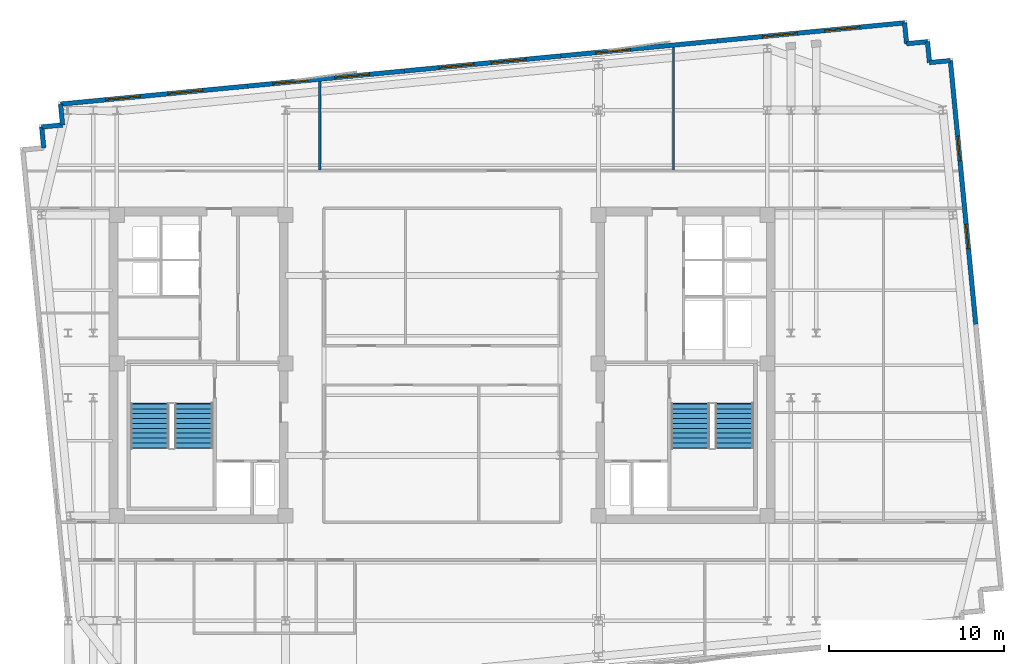
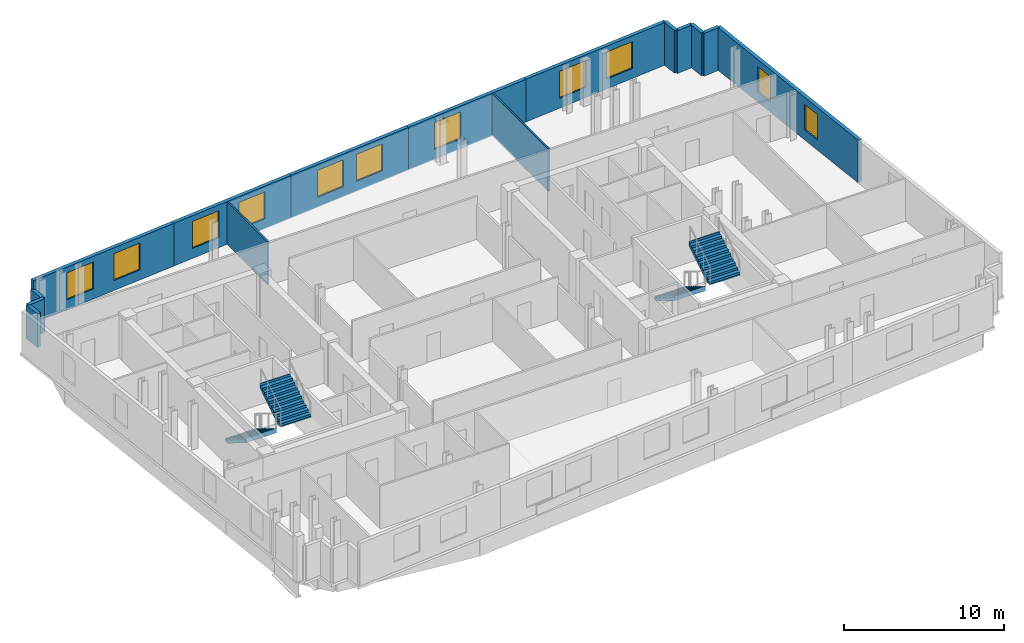
# One storey, part 6 of 8: 15 walls, 11 windows, 4 stair flights, 11 openings, 2 elements without a shape of their own.
"""IFC4 building model written with IfcOpenShell, lengths in metres."""

from ifc_helpers import new_model, si_unit, direction, frame, frame_2d, origin, place, context, subcontext, project, spatial, polyline, rectangle, outline, extrude, material, layer, layer_set, type_object, element, fill, aggregate, save


model = new_model("IFC4")

# Units and contexts
model_context = context("Model", 3, precision=1e-05, world=origin(), true_north=direction((0.0, 1.0)))
body_context = subcontext(model_context, "Body", "Model", "MODEL_VIEW")
ifc_project = project(units=[si_unit("LENGTHUNIT", "METRE"), si_unit("AREAUNIT", "SQUARE_METRE"), si_unit("VOLUMEUNIT", "CUBIC_METRE"), si_unit("PLANEANGLEUNIT", "RADIAN"), si_unit("MASSUNIT", "GRAM", prefix="KILO")], contexts=[model_context])

# Site, building, storey
site_placement = place(None, origin())
site = spatial("IfcSite", under=ifc_project, at=site_placement, CompositionType="ELEMENT")
building_placement = place(site_placement, origin())
building = spatial("IfcBuilding", under=site, at=building_placement, Name="Velakula Bourse", CompositionType="ELEMENT")
storey_placement = place(building_placement, frame((0.0, 0.0, 251.699951171875)))
storey = spatial("IfcBuildingStorey", under=building, at=storey_placement, Name="L68", CompositionType="ELEMENT", Elevation=251.699951171875)

# Wall, openings, windows
ifc_material_1 = material(Name="Buff kilned clay facing brick masonry", Category="masonry")
ifc_layer_1 = layer(ifc_material_1, 0.260009765625, Name="Buff kilned clay facing brick masonry", Category="masonry")
ifc_layer_set_1 = layer_set([ifc_layer_1], Name="Buff kilned clay facing brick masonry")
wall_type_1 = type_object("IfcWallType", Name="WL-EXT-BRK-260", PredefinedType="STANDARD", material=ifc_layer_set_1)
wall_1_placement = place(storey_placement, frame((-21.820556640625, 14.94482421875, 0.0), z_axis=(0.0, 0.0, 1.0), x_axis=(0.995394787719, 0.095860401528, 0.0)))
wall_1 = element("IfcWall", 1, at=wall_1_placement, inside=storey, type_object=wall_type_1, Name="L68 N Brick Spandrel Wall B1", PredefinedType="STANDARD", context=body_context, shape_type="SweptSolid", body=[
    extrude(rectangle(XDim=10.750244140625, YDim=0.260009765625, at=frame_2d((5.375, 0.0))), origin(), (0.0, 0.0, 1.0), 3.25),
])
opening_1_placement = place(wall_1_placement, frame((2.583251953125, 0.0, 0.760009765625)))
opening_1 = element("IfcOpeningElement", 2, at=opening_1_placement, cuts=wall_1, Name="Opening W-05", PredefinedType="OPENING", context=body_context, shape_type="SweptSolid", body=[
    extrude(rectangle(XDim=2.0, YDim=2.050048828125, at=frame_2d((1.0, 1.02490234375))), frame((0.0, 0.139892578125, 0.0), z_axis=(0.0, -1.0, 0.0), x_axis=(1.0, 0.0, 0.0)), (0.0, 0.0, 1.0), 0.280029296875),
])
opening_2_placement = place(wall_1_placement, frame((6.166748046875, 0.0, 0.760009765625)))
opening_2 = element("IfcOpeningElement", 3, at=opening_2_placement, cuts=wall_1, Name="Opening W-05", PredefinedType="OPENING", context=body_context, shape_type="SweptSolid", body=[
    extrude(rectangle(XDim=2.0, YDim=2.050048828125, at=frame_2d((1.0, 1.02490234375))), frame((0.0, 0.139892578125, 0.0), z_axis=(0.0, -1.0, 0.0), x_axis=(1.0, 0.0, 0.0)), (0.0, 0.0, 1.0), 0.280029296875),
])
ifc_material_2 = material(Name="Double-glazed solar-control Low-E glass", Category="glass")
window_type_1 = type_object("IfcWindowType", Name="WIN-TWR-2000x2200", PartitioningType="DOUBLE_PANEL_VERTICAL", PredefinedType="WINDOW", material=ifc_material_2)
window_1_placement = place(opening_1_placement, origin())
window_1 = element("IfcWindow", 4, at=window_1_placement, inside=storey, type_object=window_type_1, Name="L68 Deep-Set Recessed Window 1", OverallHeight=2.050048828125, OverallWidth=2.0, PartitioningType="DOUBLE_PANEL_VERTICAL", PredefinedType="WINDOW", context=body_context, shape_type="SweptSolid", body=[
    extrude(rectangle(XDim=2.0, YDim=2.050048828125, at=frame_2d((1.0, 1.02490234375))), frame((0.0, 0.030029296875, 0.0), z_axis=(0.0, -1.0, 0.0), x_axis=(1.0, 0.0, 0.0)), (0.0, 0.0, 1.0), 0.06005859375),
])
fill(opening_1, window_1)
window_2_placement = place(opening_2_placement, origin())
window_2 = element("IfcWindow", 5, at=window_2_placement, inside=storey, type_object=window_type_1, Name="L68 Deep-Set Recessed Window 2", OverallHeight=2.050048828125, OverallWidth=2.0, PartitioningType="DOUBLE_PANEL_VERTICAL", PredefinedType="WINDOW", context=body_context, shape_type="SweptSolid", body=[
    extrude(rectangle(XDim=2.0, YDim=2.050048828125, at=frame_2d((1.0, 1.02490234375))), frame((0.0, 0.030029296875, 0.0), z_axis=(0.0, -1.0, 0.0), x_axis=(1.0, 0.0, 0.0)), (0.0, 0.0, 1.0), 0.06005859375),
])
fill(opening_2, window_2)

wall_2_placement = place(storey_placement, frame((-11.119873046875, 15.975341796875, 0.0), z_axis=(0.0, 0.0, 1.0), x_axis=(0.995396794462, 0.09583956164, 0.0)))
wall_2 = element("IfcWall", 6, at=wall_2_placement, inside=storey, type_object=wall_type_1, Name="L68 N Brick Spandrel Wall B2", PredefinedType="STANDARD", context=body_context, shape_type="SweptSolid", body=[
    extrude(rectangle(XDim=9.0, YDim=0.260009765625, at=frame_2d((4.5, 0.0))), origin(), (0.0, 0.0, 1.0), 3.25),
])
opening_3_placement = place(wall_2_placement, frame((1.449951171875, 0.0, 0.760009765625)))
opening_3 = element("IfcOpeningElement", 7, at=opening_3_placement, cuts=wall_2, Name="Opening W-05", PredefinedType="OPENING", context=body_context, shape_type="SweptSolid", body=[
    extrude(rectangle(XDim=2.0, YDim=2.050048828125, at=frame_2d((1.0, 1.02490234375))), frame((0.0, 0.139892578125, 0.0), z_axis=(0.0, -1.0, 0.0), x_axis=(1.0, 0.0, 0.0)), (0.0, 0.0, 1.0), 0.280029296875),
])
opening_4_placement = place(wall_2_placement, frame((5.0, 0.0, 0.760009765625)))
opening_4 = element("IfcOpeningElement", 8, at=opening_4_placement, cuts=wall_2, Name="Opening W-05", PredefinedType="OPENING", context=body_context, shape_type="SweptSolid", body=[
    extrude(rectangle(XDim=2.0, YDim=2.050048828125, at=frame_2d((1.0, 1.02490234375))), frame((0.0, 0.139892578125, 0.0), z_axis=(0.0, -1.0, 0.0), x_axis=(1.0, 0.0, 0.0)), (0.0, 0.0, 1.0), 0.280029296875),
])
window_3_placement = place(opening_3_placement, origin())
window_3 = element("IfcWindow", 9, at=window_3_placement, inside=storey, type_object=window_type_1, Name="L68 Deep-Set Recessed Window 1", OverallHeight=2.050048828125, OverallWidth=2.0, PartitioningType="DOUBLE_PANEL_VERTICAL", PredefinedType="WINDOW", context=body_context, shape_type="SweptSolid", body=[
    extrude(rectangle(XDim=2.0, YDim=2.050048828125, at=frame_2d((1.0, 1.02490234375))), frame((0.0, 0.030029296875, 0.0), z_axis=(0.0, -1.0, 0.0), x_axis=(1.0, 0.0, 0.0)), (0.0, 0.0, 1.0), 0.06005859375),
])
fill(opening_3, window_3)
window_4_placement = place(opening_4_placement, origin())
window_4 = element("IfcWindow", 10, at=window_4_placement, inside=storey, type_object=window_type_1, Name="L68 Deep-Set Recessed Window 2", OverallHeight=2.050048828125, OverallWidth=2.0, PartitioningType="DOUBLE_PANEL_VERTICAL", PredefinedType="WINDOW", context=body_context, shape_type="SweptSolid", body=[
    extrude(rectangle(XDim=2.0, YDim=2.050048828125, at=frame_2d((1.0, 1.02490234375))), frame((0.0, 0.030029296875, 0.0), z_axis=(0.0, -1.0, 0.0), x_axis=(1.0, 0.0, 0.0)), (0.0, 0.0, 1.0), 0.06005859375),
])
fill(opening_4, window_4)

wall_3_placement = place(storey_placement, frame((-2.161376953125, 16.837890625, 0.0), z_axis=(0.0, 0.0, 1.0), x_axis=(0.995396794462, 0.09583956164, 0.0)))
wall_3 = element("IfcWall", 11, at=wall_3_placement, inside=storey, type_object=wall_type_1, Name="L68 N Brick Spandrel Wall B3", PredefinedType="STANDARD", context=body_context, shape_type="SweptSolid", body=[
    extrude(rectangle(XDim=9.0, YDim=0.260009765625, at=frame_2d((4.5, 0.0))), origin(), (0.0, 0.0, 1.0), 3.25),
])
opening_5_placement = place(wall_3_placement, frame((2.0, 0.0, 0.760009765625)))
opening_5 = element("IfcOpeningElement", 12, at=opening_5_placement, cuts=wall_3, Name="Opening W-05", PredefinedType="OPENING", context=body_context, shape_type="SweptSolid", body=[
    extrude(rectangle(XDim=2.0, YDim=2.050048828125, at=frame_2d((1.0, 1.02490234375))), frame((0.0, 0.139892578125, 0.0), z_axis=(0.0, -1.0, 0.0), x_axis=(1.0, 0.0, 0.0)), (0.0, 0.0, 1.0), 0.280029296875),
])
opening_6_placement = place(wall_3_placement, frame((5.0, 0.0, 0.760009765625)))
opening_6 = element("IfcOpeningElement", 13, at=opening_6_placement, cuts=wall_3, Name="Opening W-05", PredefinedType="OPENING", context=body_context, shape_type="SweptSolid", body=[
    extrude(rectangle(XDim=2.0, YDim=2.050048828125, at=frame_2d((1.0, 1.02490234375))), frame((0.0, 0.139892578125, 0.0), z_axis=(0.0, -1.0, 0.0), x_axis=(1.0, 0.0, 0.0)), (0.0, 0.0, 1.0), 0.280029296875),
])
window_5_placement = place(opening_5_placement, origin())
window_5 = element("IfcWindow", 14, at=window_5_placement, inside=storey, type_object=window_type_1, Name="L68 Deep-Set Recessed Window 1", OverallHeight=2.050048828125, OverallWidth=2.0, PartitioningType="DOUBLE_PANEL_VERTICAL", PredefinedType="WINDOW", context=body_context, shape_type="SweptSolid", body=[
    extrude(rectangle(XDim=2.0, YDim=2.050048828125, at=frame_2d((1.0, 1.02490234375))), frame((0.0, 0.030029296875, 0.0), z_axis=(0.0, -1.0, 0.0), x_axis=(1.0, 0.0, 0.0)), (0.0, 0.0, 1.0), 0.06005859375),
])
fill(opening_5, window_5)
window_6_placement = place(opening_6_placement, origin())
window_6 = element("IfcWindow", 15, at=window_6_placement, inside=storey, type_object=window_type_1, Name="L68 Deep-Set Recessed Window 2", OverallHeight=2.050048828125, OverallWidth=2.0, PartitioningType="DOUBLE_PANEL_VERTICAL", PredefinedType="WINDOW", context=body_context, shape_type="SweptSolid", body=[
    extrude(rectangle(XDim=2.0, YDim=2.050048828125, at=frame_2d((1.0, 1.02490234375))), frame((0.0, 0.030029296875, 0.0), z_axis=(0.0, -1.0, 0.0), x_axis=(1.0, 0.0, 0.0)), (0.0, 0.0, 1.0), 0.06005859375),
])
fill(opening_6, window_6)

# Wall, opening, window
wall_4_placement = place(storey_placement, frame((6.797119140625, 17.700439453125, 0.0), z_axis=(0.0, 0.0, 1.0), x_axis=(0.995394455533, 0.09586385082, 0.0)))
wall_4 = element("IfcWall", 16, at=wall_4_placement, inside=storey, type_object=wall_type_1, Name="L68 N Brick Spandrel Wall B4", PredefinedType="STANDARD", context=body_context, shape_type="SweptSolid", body=[
    extrude(rectangle(XDim=9.000244140625, YDim=0.260009765625, at=frame_2d((4.5, 0.0))), origin(), (0.0, 0.0, 1.0), 3.25),
])
opening_7_placement = place(wall_4_placement, frame((2.0, 0.0, 0.760009765625)))
opening_7 = element("IfcOpeningElement", 17, at=opening_7_placement, cuts=wall_4, Name="Opening W-05", PredefinedType="OPENING", context=body_context, shape_type="SweptSolid", body=[
    extrude(rectangle(XDim=2.0, YDim=2.050048828125, at=frame_2d((1.0, 1.02490234375))), frame((0.0, 0.139892578125, 0.0), z_axis=(0.0, -1.0, 0.0), x_axis=(1.0, 0.0, 0.0)), (0.0, 0.0, 1.0), 0.280029296875),
])
window_7_placement = place(opening_7_placement, origin())
window_7 = element("IfcWindow", 18, at=window_7_placement, inside=storey, type_object=window_type_1, Name="L68 Deep-Set Recessed Window 1", OverallHeight=2.050048828125, OverallWidth=2.0, PartitioningType="DOUBLE_PANEL_VERTICAL", PredefinedType="WINDOW", context=body_context, shape_type="SweptSolid", body=[
    extrude(rectangle(XDim=2.0, YDim=2.050048828125, at=frame_2d((1.0, 1.02490234375))), frame((0.0, 0.030029296875, 0.0), z_axis=(0.0, -1.0, 0.0), x_axis=(1.0, 0.0, 0.0)), (0.0, 0.0, 1.0), 0.06005859375),
])
fill(opening_7, window_7)

# Wall, openings, windows
wall_5_placement = place(storey_placement, frame((15.755859375, 18.563232421875, 0.0), z_axis=(0.0, 0.0, 1.0), x_axis=(0.995396745868, 0.095840066339, 0.0)))
wall_5 = element("IfcWall", 19, at=wall_5_placement, inside=storey, type_object=wall_type_1, Name="L68 N Brick Spandrel Wall B5", PredefinedType="STANDARD", context=body_context, shape_type="SweptSolid", body=[
    extrude(rectangle(XDim=10.75, YDim=0.260009765625, at=frame_2d((5.375, 0.0))), origin(), (0.0, 0.0, 1.0), 3.25),
])
opening_8_placement = place(wall_5_placement, frame((2.583251953125, 0.0, 0.760009765625)))
opening_8 = element("IfcOpeningElement", 20, at=opening_8_placement, cuts=wall_5, Name="Opening W-05", PredefinedType="OPENING", context=body_context, shape_type="SweptSolid", body=[
    extrude(rectangle(XDim=2.0, YDim=2.050048828125, at=frame_2d((1.0, 1.02490234375))), frame((0.0, 0.139892578125, 0.0), z_axis=(0.0, -1.0, 0.0), x_axis=(1.0, 0.0, 0.0)), (0.0, 0.0, 1.0), 0.280029296875),
])
opening_9_placement = place(wall_5_placement, frame((6.166748046875, 0.0, 0.760009765625)))
opening_9 = element("IfcOpeningElement", 21, at=opening_9_placement, cuts=wall_5, Name="Opening W-05", PredefinedType="OPENING", context=body_context, shape_type="SweptSolid", body=[
    extrude(rectangle(XDim=2.0, YDim=2.050048828125, at=frame_2d((1.0, 1.02490234375))), frame((0.0, 0.139892578125, 0.0), z_axis=(0.0, -1.0, 0.0), x_axis=(1.0, 0.0, 0.0)), (0.0, 0.0, 1.0), 0.280029296875),
])
window_8_placement = place(opening_8_placement, origin())
window_8 = element("IfcWindow", 22, at=window_8_placement, inside=storey, type_object=window_type_1, Name="L68 Deep-Set Recessed Window 1", OverallHeight=2.050048828125, OverallWidth=2.0, PartitioningType="DOUBLE_PANEL_VERTICAL", PredefinedType="WINDOW", context=body_context, shape_type="SweptSolid", body=[
    extrude(rectangle(XDim=2.0, YDim=2.050048828125, at=frame_2d((1.0, 1.02490234375))), frame((0.0, 0.030029296875, 0.0), z_axis=(0.0, -1.0, 0.0), x_axis=(1.0, 0.0, 0.0)), (0.0, 0.0, 1.0), 0.06005859375),
])
fill(opening_8, window_8)
window_9_placement = place(opening_9_placement, origin())
window_9 = element("IfcWindow", 23, at=window_9_placement, inside=storey, type_object=window_type_1, Name="L68 Deep-Set Recessed Window 2", OverallHeight=2.050048828125, OverallWidth=2.0, PartitioningType="DOUBLE_PANEL_VERTICAL", PredefinedType="WINDOW", context=body_context, shape_type="SweptSolid", body=[
    extrude(rectangle(XDim=2.0, YDim=2.050048828125, at=frame_2d((1.0, 1.02490234375))), frame((0.0, 0.030029296875, 0.0), z_axis=(0.0, -1.0, 0.0), x_axis=(1.0, 0.0, 0.0)), (0.0, 0.0, 1.0), 0.06005859375),
])
fill(opening_9, window_9)

wall_6_placement = place(storey_placement, frame((29.0751953125, 17.4345703125, 0.0), z_axis=(0.0, 0.0, 1.0), x_axis=(0.095850890337, -0.995395703638, 0.0)))
wall_6 = element("IfcWall", 24, at=wall_6_placement, inside=storey, type_object=wall_type_1, Name="L68 E Brick End Wall W2", PredefinedType="STANDARD", context=body_context, shape_type="SweptSolid", body=[
    extrude(rectangle(XDim=15.150146484375, YDim=0.260009765625, at=frame_2d((7.5751953125, 0.0))), origin(), (0.0, 0.0, 1.0), 3.25),
])
opening_10_placement = place(wall_6_placement, frame((4.35009765625, 0.0, 0.760009765625)))
opening_10 = element("IfcOpeningElement", 25, at=opening_10_placement, cuts=wall_6, Name="Opening W-03", PredefinedType="OPENING", context=body_context, shape_type="SweptSolid", body=[
    extrude(rectangle(XDim=1.39990234375, YDim=1.949951171875, at=frame_2d((0.699951171875, 0.97509765625))), frame((0.0, 0.139892578125, 0.0), z_axis=(0.0, -1.0, 0.0), x_axis=(1.0, 0.0, 0.0)), (0.0, 0.0, 1.0), 0.280029296875),
])
opening_11_placement = place(wall_6_placement, frame((9.39990234375, 0.0, 0.760009765625)))
opening_11 = element("IfcOpeningElement", 26, at=opening_11_placement, cuts=wall_6, Name="Opening W-03", PredefinedType="OPENING", context=body_context, shape_type="SweptSolid", body=[
    extrude(rectangle(XDim=1.39990234375, YDim=1.949951171875, at=frame_2d((0.699951171875, 0.97509765625))), frame((0.0, 0.139892578125, 0.0), z_axis=(0.0, -1.0, 0.0), x_axis=(1.0, 0.0, 0.0)), (0.0, 0.0, 1.0), 0.280029296875),
])
window_type_2 = type_object("IfcWindowType", Name="WIN-TWR-1400x2100", PartitioningType="SINGLE_PANEL", PredefinedType="WINDOW", material=ifc_material_2)
window_10_placement = place(opening_10_placement, origin())
window_10 = element("IfcWindow", 27, at=window_10_placement, inside=storey, type_object=window_type_2, Name="L68 Deep-Set Recessed Window 1", OverallHeight=1.949951171875, OverallWidth=1.39990234375, PartitioningType="SINGLE_PANEL", PredefinedType="WINDOW", context=body_context, shape_type="SweptSolid", body=[
    extrude(rectangle(XDim=1.39990234375, YDim=1.949951171875, at=frame_2d((0.699951171875, 0.97509765625))), frame((0.0, 0.030029296875, 0.0), z_axis=(0.0, -1.0, 0.0), x_axis=(1.0, 0.0, 0.0)), (0.0, 0.0, 1.0), 0.06005859375),
])
fill(opening_10, window_10)
window_11_placement = place(opening_11_placement, origin())
window_11 = element("IfcWindow", 28, at=window_11_placement, inside=storey, type_object=window_type_2, Name="L68 Deep-Set Recessed Window 2", OverallHeight=1.949951171875, OverallWidth=1.39990234375, PartitioningType="SINGLE_PANEL", PredefinedType="WINDOW", context=body_context, shape_type="SweptSolid", body=[
    extrude(rectangle(XDim=1.39990234375, YDim=1.949951171875, at=frame_2d((0.699951171875, 0.97509765625))), frame((0.0, 0.030029296875, 0.0), z_axis=(0.0, -1.0, 0.0), x_axis=(1.0, 0.0, 0.0)), (0.0, 0.0, 1.0), 0.06005859375),
])
fill(opening_11, window_11)

# Walls
for number, where, z_axis, x_axis, name in (
    (29, (29.0751953125, 17.4345703125, 0.0), (0.0, 0.0, 1.0), (-0.995397091755, -0.095836473879, 0.0), "L68 Serrated Corner Brick Wall NE-1"),
    (30, (27.880859375, 17.319580078125, 0.0), (0.0, 0.0, 1.0), (-0.095836473879, 0.995397091755, 0.0), "L68 Serrated Corner Brick Wall NE-2"),
):
    element("IfcWall", number, at=place(storey_placement, frame(where, z_axis=z_axis, x_axis=x_axis)), inside=storey, type_object=wall_type_1, Name=name, PredefinedType="STANDARD", context=body_context, shape_type="SweptSolid", body=[
        extrude(rectangle(XDim=1.199951171875, YDim=0.260009765625, at=frame_2d((0.60009765625, 0.0))), origin(), (0.0, 0.0, 1.0), 3.25),
    ])
for number, where, z_axis, x_axis, name in (
    (31, (27.765869140625, 18.513916015625, 0.0), (0.0, 0.0, 1.0), (-0.995398960025, -0.095817067274, 0.0), "L68 Serrated Corner Brick Wall NE-3"),
    (32, (26.5712890625, 18.39892578125, 0.0), (0.0, 0.0, 1.0), (-0.095817067274, 0.995398960025, 0.0), "L68 Serrated Corner Brick Wall NE-4"),
):
    element("IfcWall", number, at=place(storey_placement, frame(where, z_axis=z_axis, x_axis=x_axis)), inside=storey, type_object=wall_type_1, Name=name, PredefinedType="STANDARD", context=body_context, shape_type="SweptSolid", body=[
        extrude(rectangle(XDim=1.2001953125, YDim=0.260009765625, at=frame_2d((0.60009765625, 0.0))), origin(), (0.0, 0.0, 1.0), 3.25),
    ])
wall_7_placement = place(storey_placement, frame((-21.820556640625, 14.94482421875, 0.0), z_axis=(0.0, 0.0, 1.0), x_axis=(0.096038073607, -0.995377661201, 0.0)))
element("IfcWall", 33, at=wall_7_placement, inside=storey, type_object=wall_type_1, Name="L68 Serrated Corner Brick Wall NW-1", PredefinedType="STANDARD", context=body_context, shape_type="SweptSolid", body=[
    extrude(rectangle(XDim=1.199951171875, YDim=0.260009765625, at=frame_2d((0.60009765625, 0.0))), origin(), (0.0, 0.0, 1.0), 2.56494140625),
])
for number, where, z_axis, x_axis, name in (
    (34, (-21.705322265625, 13.75048828125, 0.0), (0.0, 0.0, 1.0), (-0.995398960025, -0.095817067274, 0.0), "L68 Serrated Corner Brick Wall NW-2"),
    (35, (-22.89990234375, 13.635498046875, 0.0), (0.0, 0.0, 1.0), (0.095817067274, -0.995398960025, 0.0), "L68 Serrated Corner Brick Wall NW-3"),
):
    element("IfcWall", number, at=place(storey_placement, frame(where, z_axis=z_axis, x_axis=x_axis)), inside=storey, type_object=wall_type_1, Name=name, PredefinedType="STANDARD", context=body_context, shape_type="SweptSolid", body=[
        extrude(rectangle(XDim=1.2001953125, YDim=0.260009765625, at=frame_2d((0.60009765625, 0.0))), origin(), (0.0, 0.0, 1.0), 2.56494140625),
    ])
ifc_material_3 = material(Name="Fire-rated double-layer gypsum drywall partition", Category="gypsum")
ifc_layer_2 = layer(ifc_material_3, 0.1201171875, Name="Fire-rated double-layer gypsum drywall partition", Category="gypsum")
ifc_layer_set_2 = layer_set([ifc_layer_2], Name="Fire-rated double-layer gypsum drywall partition")
wall_type_2 = type_object("IfcWallType", Name="WL-PART-120", PredefinedType="STANDARD", material=ifc_layer_set_2)
wall_8_placement = place(storey_placement, frame((-6.99609375, 11.18994140625, 0.0), z_axis=(0.0, 0.0, 1.0), x_axis=(0.0, 1.0, 0.0)))
element("IfcWall", 36, at=wall_8_placement, inside=storey, type_object=wall_type_2, Name="L68 Interior Partition WL-INT-L68-N-D1", PredefinedType="STANDARD", context=body_context, shape_type="SweptSolid", body=[
    extrude(rectangle(XDim=5.0517578125, YDim=0.1201171875, at=frame_2d((2.52587890625, 0.0))), origin(), (0.0, 0.0, 1.0), 3.25),
])
wall_9_placement = place(storey_placement, frame((13.241943359375, 11.18994140625, 0.0), z_axis=(0.0, 0.0, 1.0), x_axis=(0.0, 1.0, 0.0)))
element("IfcWall", 37, at=wall_9_placement, inside=storey, type_object=wall_type_2, Name="L68 Interior Partition WL-INT-L68-N-D2", PredefinedType="STANDARD", context=body_context, shape_type="SweptSolid", body=[
    extrude(rectangle(XDim=7.00048828125, YDim=0.1201171875, at=frame_2d((3.500244140625, 0.0))), origin(), (0.0, 0.0, 1.0), 3.25),
])

# Stair, stair flights
ifc_material_4 = material(Name="Concrete M45 (fck 45 MPa)", Category="concrete")
stair_type = type_object("IfcStairType", Name="STR-DOG-390", PredefinedType="HALF_TURN_STAIR", material=ifc_material_4)
stair_1_placement = place(storey_placement, origin())
stair_1 = element("IfcStair", 38, at=stair_1_placement, inside=storey, type_object=stair_type, Name="L68 West Core Exit Stair ST-W1", PredefinedType="HALF_TURN_STAIR")
ifc_layer_3 = layer(ifc_material_4, 0.195068359375, Name="Concrete M45 (fck 45 MPa)", Category="concrete")
ifc_layer_set_3 = layer_set([ifc_layer_3], Name="Concrete M45 (fck 45 MPa)")
stair_flight_type = type_object("IfcStairFlightType", Name="FLT-DOG-390", PredefinedType="STRAIGHT", material=ifc_layer_set_3)
stair_flight_1_placement = place(storey_placement, frame((-16.720947265625, -2.199951171875, 0.0), z_axis=(0.0, 0.0, 1.0), x_axis=(0.0, -1.0, 0.0)))
stair_flight_1 = element("IfcStairFlight", 39, at=stair_flight_1_placement, type_object=stair_flight_type, Name="ST-W1 flight 1", NumberOfRisers=10, NumberOfTreads=9, PredefinedType="STRAIGHT", RiserHeight=0.1725, TreadLength=0.28, context=body_context, shape_type="SweptSolid", body=[
    extrude(outline(polyline([(-0.044921875, -0.0400390625), (-0.044921875, -0.036865234375), (-0.044921875, -0.033935546875), (-0.044921875, -0.03076171875), (-0.044921875, -0.027587890625), (-0.044921875, -0.024658203125), (-0.044921875, -0.021484375), (-0.044921875, -0.0185546875), (-0.044921875, -0.015380859375), (-0.044921875, -0.01220703125), (-0.044921875, -0.00927734375), (-0.044921875, -0.006103515625), (-0.044921875, -0.003173828125), (-0.044921875, 0.0), (0.0, 0.0), (0.0, 0.172607421875), (0.280029296875, 0.172607421875), (0.280029296875, 0.344970703125), (0.56005859375, 0.344970703125), (0.56005859375, 0.517578125), (0.840087890625, 0.517578125), (0.840087890625, 0.68994140625), (1.1201171875, 0.68994140625), (1.1201171875, 0.862548828125), (1.39990234375, 0.862548828125), (1.39990234375, 1.034912109375), (1.679931640625, 1.034912109375), (1.679931640625, 1.20751953125), (1.9599609375, 1.20751953125), (1.9599609375, 1.3798828125), (2.239990234375, 1.3798828125), (2.239990234375, 1.552490234375), (2.52001953125, 1.552490234375), (2.52001953125, 1.72509765625), (2.56494140625, 1.72509765625), (2.56494140625, 1.7001953125), (2.56494140625, 1.67529296875), (2.56494140625, 1.650390625), (2.56494140625, 1.62548828125), (2.56494140625, 1.6005859375), (2.56494140625, 1.57568359375), (2.56494140625, 1.55078125), (2.56494140625, 1.52587890625), (2.56494140625, 1.5009765625), (2.56494140625, 1.47607421875), (2.56494140625, 1.451171875), (2.56494140625, 1.42626953125), (2.56494140625, 1.4013671875), (2.56494140625, 1.37646484375), (0.285888671875, -0.0400390625), (-0.044921875, -0.0400390625)])), frame((0.0, 1.09912109375, 0.0), z_axis=(0.0, -1.0, 0.0), x_axis=(1.0, 0.0, 0.0)), (0.0, 0.0, 1.0), 2.197998046875),
])
stair_flight_2_placement = place(storey_placement, frame((-14.198974609375, -4.719970703125, 1.72509765625), z_axis=(0.0, 0.0, 1.0), x_axis=(0.0, 1.0, 0.0)))
stair_flight_2 = element("IfcStairFlight", 40, at=stair_flight_2_placement, type_object=stair_flight_type, Name="ST-W1 flight 2", NumberOfRisers=10, NumberOfTreads=9, PredefinedType="STRAIGHT", RiserHeight=0.1725, TreadLength=0.28, context=body_context, shape_type="SweptSolid", body=[
    extrude(outline(polyline([(-0.044921875, -0.0400390625), (-0.044921875, -0.036865234375), (-0.044921875, -0.033935546875), (-0.044921875, -0.03076171875), (-0.044921875, -0.027587890625), (-0.044921875, -0.024658203125), (-0.044921875, -0.021484375), (-0.044921875, -0.0185546875), (-0.044921875, -0.015380859375), (-0.044921875, -0.01220703125), (-0.044921875, -0.00927734375), (-0.044921875, -0.006103515625), (-0.044921875, -0.003173828125), (-0.044921875, 0.0), (0.0, 0.0), (0.0, 0.172607421875), (0.280029296875, 0.172607421875), (0.280029296875, 0.344970703125), (0.56005859375, 0.344970703125), (0.56005859375, 0.517578125), (0.840087890625, 0.517578125), (0.840087890625, 0.68994140625), (1.1201171875, 0.68994140625), (1.1201171875, 0.862548828125), (1.39990234375, 0.862548828125), (1.39990234375, 1.034912109375), (1.679931640625, 1.034912109375), (1.679931640625, 1.20751953125), (1.9599609375, 1.20751953125), (1.9599609375, 1.3798828125), (2.239990234375, 1.3798828125), (2.239990234375, 1.552490234375), (2.52001953125, 1.552490234375), (2.52001953125, 1.72509765625), (2.56494140625, 1.72509765625), (2.56494140625, 1.7001953125), (2.56494140625, 1.67529296875), (2.56494140625, 1.650390625), (2.56494140625, 1.62548828125), (2.56494140625, 1.6005859375), (2.56494140625, 1.57568359375), (2.56494140625, 1.55078125), (2.56494140625, 1.52587890625), (2.56494140625, 1.5009765625), (2.56494140625, 1.47607421875), (2.56494140625, 1.451171875), (2.56494140625, 1.42626953125), (2.56494140625, 1.4013671875), (2.56494140625, 1.37646484375), (0.285888671875, -0.0400390625), (-0.044921875, -0.0400390625)])), frame((0.0, 1.09912109375, 0.0), z_axis=(0.0, -1.0, 0.0), x_axis=(1.0, 0.0, 0.0)), (0.0, 0.0, 1.0), 2.197998046875),
])
aggregate(stair_1, [stair_flight_1, stair_flight_2])

stair_2_placement = place(storey_placement, origin())
stair_2 = element("IfcStair", 41, at=stair_2_placement, inside=storey, type_object=stair_type, Name="L68 East Core Exit Stair ST-E1", PredefinedType="HALF_TURN_STAIR")
stair_flight_3_placement = place(storey_placement, frame((14.198974609375, -2.199951171875, 0.0), z_axis=(0.0, 0.0, 1.0), x_axis=(0.0, -1.0, 0.0)))
stair_flight_3 = element("IfcStairFlight", 42, at=stair_flight_3_placement, type_object=stair_flight_type, Name="ST-E1 flight 1", NumberOfRisers=10, NumberOfTreads=9, PredefinedType="STRAIGHT", RiserHeight=0.1725, TreadLength=0.28, context=body_context, shape_type="SweptSolid", body=[
    extrude(outline(polyline([(-0.044921875, -0.0400390625), (-0.044921875, -0.036865234375), (-0.044921875, -0.033935546875), (-0.044921875, -0.03076171875), (-0.044921875, -0.027587890625), (-0.044921875, -0.024658203125), (-0.044921875, -0.021484375), (-0.044921875, -0.0185546875), (-0.044921875, -0.015380859375), (-0.044921875, -0.01220703125), (-0.044921875, -0.00927734375), (-0.044921875, -0.006103515625), (-0.044921875, -0.003173828125), (-0.044921875, 0.0), (0.0, 0.0), (0.0, 0.172607421875), (0.280029296875, 0.172607421875), (0.280029296875, 0.344970703125), (0.56005859375, 0.344970703125), (0.56005859375, 0.517578125), (0.840087890625, 0.517578125), (0.840087890625, 0.68994140625), (1.1201171875, 0.68994140625), (1.1201171875, 0.862548828125), (1.39990234375, 0.862548828125), (1.39990234375, 1.034912109375), (1.679931640625, 1.034912109375), (1.679931640625, 1.20751953125), (1.9599609375, 1.20751953125), (1.9599609375, 1.3798828125), (2.239990234375, 1.3798828125), (2.239990234375, 1.552490234375), (2.52001953125, 1.552490234375), (2.52001953125, 1.72509765625), (2.56494140625, 1.72509765625), (2.56494140625, 1.7001953125), (2.56494140625, 1.67529296875), (2.56494140625, 1.650390625), (2.56494140625, 1.62548828125), (2.56494140625, 1.6005859375), (2.56494140625, 1.57568359375), (2.56494140625, 1.55078125), (2.56494140625, 1.52587890625), (2.56494140625, 1.5009765625), (2.56494140625, 1.47607421875), (2.56494140625, 1.451171875), (2.56494140625, 1.42626953125), (2.56494140625, 1.4013671875), (2.56494140625, 1.37646484375), (0.285888671875, -0.0400390625), (-0.044921875, -0.0400390625)])), frame((0.0, 1.09912109375, 0.0), z_axis=(0.0, -1.0, 0.0), x_axis=(1.0, 0.0, 0.0)), (0.0, 0.0, 1.0), 2.197998046875),
])
stair_flight_4_placement = place(storey_placement, frame((16.720947265625, -4.719970703125, 1.72509765625), z_axis=(0.0, 0.0, 1.0), x_axis=(0.0, 1.0, 0.0)))
stair_flight_4 = element("IfcStairFlight", 43, at=stair_flight_4_placement, type_object=stair_flight_type, Name="ST-E1 flight 2", NumberOfRisers=10, NumberOfTreads=9, PredefinedType="STRAIGHT", RiserHeight=0.1725, TreadLength=0.28, context=body_context, shape_type="SweptSolid", body=[
    extrude(outline(polyline([(-0.044921875, -0.0400390625), (-0.044921875, -0.036865234375), (-0.044921875, -0.033935546875), (-0.044921875, -0.03076171875), (-0.044921875, -0.027587890625), (-0.044921875, -0.024658203125), (-0.044921875, -0.021484375), (-0.044921875, -0.0185546875), (-0.044921875, -0.015380859375), (-0.044921875, -0.01220703125), (-0.044921875, -0.00927734375), (-0.044921875, -0.006103515625), (-0.044921875, -0.003173828125), (-0.044921875, 0.0), (0.0, 0.0), (0.0, 0.172607421875), (0.280029296875, 0.172607421875), (0.280029296875, 0.344970703125), (0.56005859375, 0.344970703125), (0.56005859375, 0.517578125), (0.840087890625, 0.517578125), (0.840087890625, 0.68994140625), (1.1201171875, 0.68994140625), (1.1201171875, 0.862548828125), (1.39990234375, 0.862548828125), (1.39990234375, 1.034912109375), (1.679931640625, 1.034912109375), (1.679931640625, 1.20751953125), (1.9599609375, 1.20751953125), (1.9599609375, 1.3798828125), (2.239990234375, 1.3798828125), (2.239990234375, 1.552490234375), (2.52001953125, 1.552490234375), (2.52001953125, 1.72509765625), (2.56494140625, 1.72509765625), (2.56494140625, 1.7001953125), (2.56494140625, 1.67529296875), (2.56494140625, 1.650390625), (2.56494140625, 1.62548828125), (2.56494140625, 1.6005859375), (2.56494140625, 1.57568359375), (2.56494140625, 1.55078125), (2.56494140625, 1.52587890625), (2.56494140625, 1.5009765625), (2.56494140625, 1.47607421875), (2.56494140625, 1.451171875), (2.56494140625, 1.42626953125), (2.56494140625, 1.4013671875), (2.56494140625, 1.37646484375), (0.285888671875, -0.0400390625), (-0.044921875, -0.0400390625)])), frame((0.0, 1.09912109375, 0.0), z_axis=(0.0, -1.0, 0.0), x_axis=(1.0, 0.0, 0.0)), (0.0, 0.0, 1.0), 2.197998046875),
])
aggregate(stair_2, [stair_flight_3, stair_flight_4])

save(model, "model.ifc")
